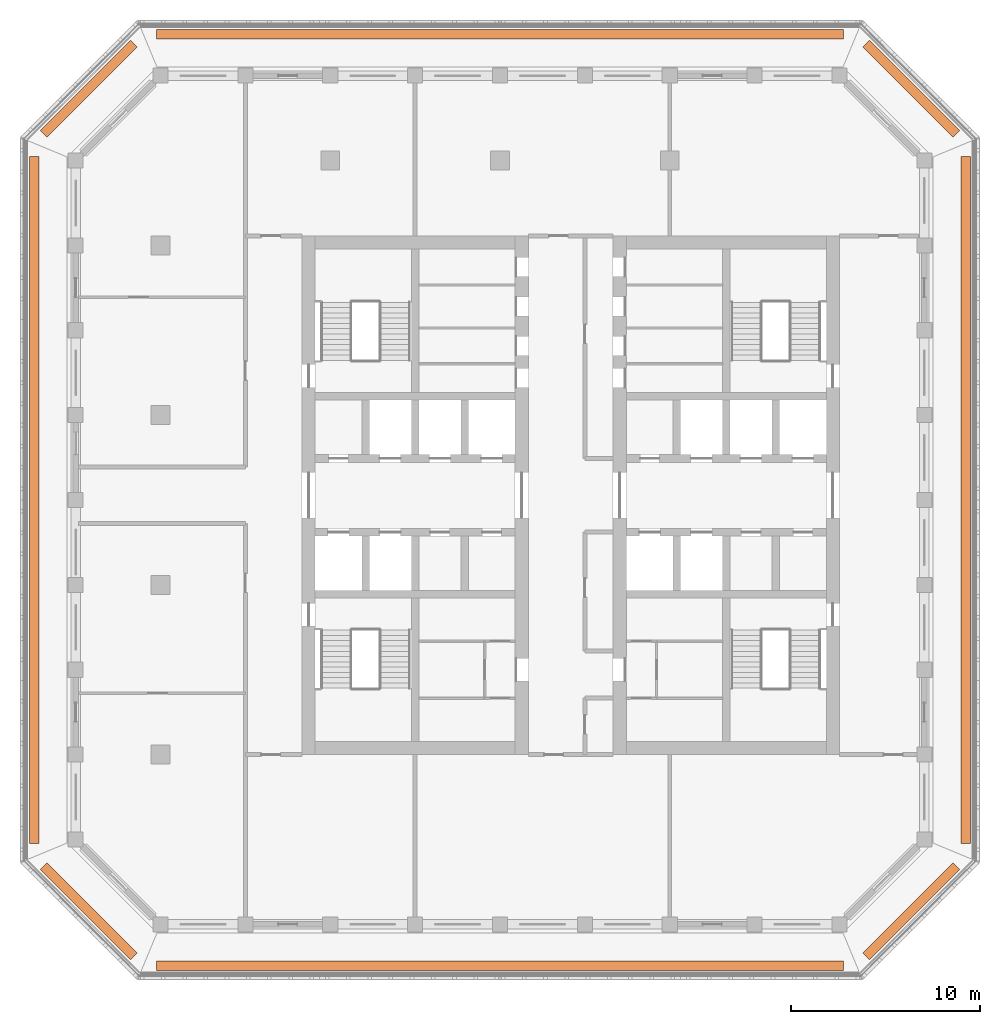
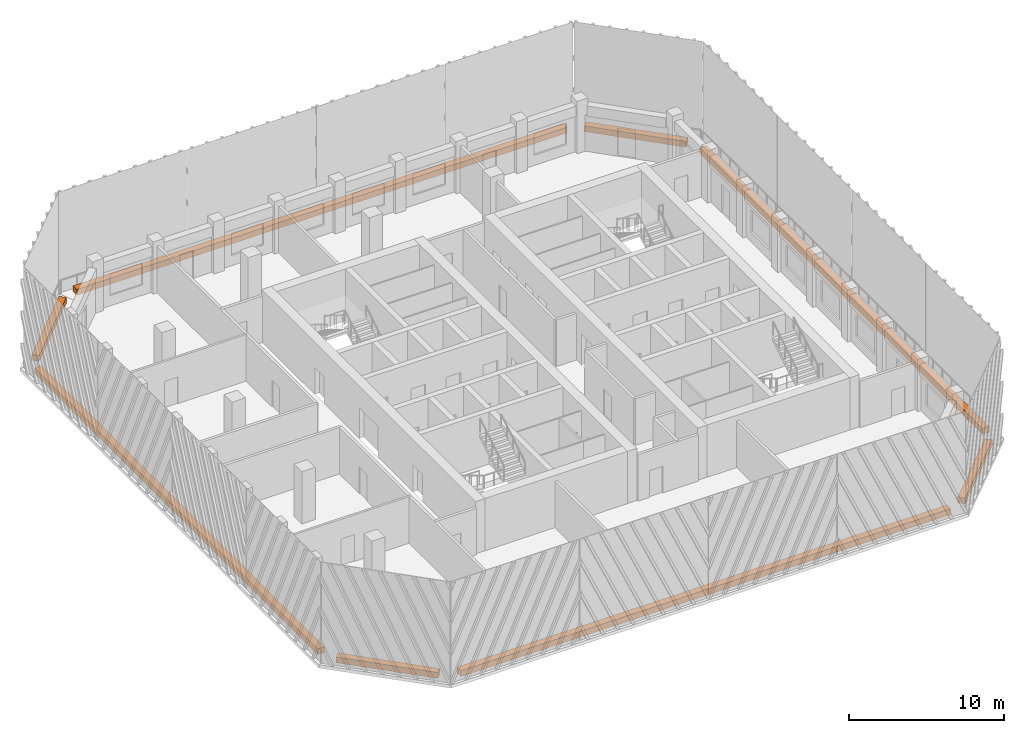
# One storey, part 15 of 15: 8 proxies.
"""IFC4 building model written with IfcOpenShell, lengths in metres."""

from ifc_helpers import new_model, si_unit, direction, frame, origin, origin_2d, place, context, subcontext, project, spatial, rectangle, extrude, material, type_object, element, save


model = new_model("IFC4")

# Units and contexts
model_context = context("Model", 3, precision=1e-05, world=origin(), true_north=direction((0.0, 1.0)))
body_context = subcontext(model_context, "Body", "Model", "MODEL_VIEW")
ifc_project = project(units=[si_unit("LENGTHUNIT", "METRE"), si_unit("AREAUNIT", "SQUARE_METRE"), si_unit("VOLUMEUNIT", "CUBIC_METRE"), si_unit("PLANEANGLEUNIT", "RADIAN"), si_unit("MASSUNIT", "GRAM", prefix="KILO")], contexts=[model_context])

# Site, building, storey
site_placement = place(None, origin())
site = spatial("IfcSite", under=ifc_project, at=site_placement, CompositionType="ELEMENT")
building_placement = place(site_placement, origin())
building = spatial("IfcBuilding", under=site, at=building_placement, Name="Corbel Stack Research Tower", CompositionType="ELEMENT")
storey_placement = place(building_placement, frame((0.0, 0.0, 274.5)))
storey = spatial("IfcBuildingStorey", under=building, at=storey_placement, Name="L62", CompositionType="ELEMENT", Elevation=274.5)

# Proxies
ifc_material = material(Name="Concrete C45/55", Category="concrete")
building_element_proxy_type = type_object("IfcBuildingElementProxyType", Name="Planter box", PredefinedType="USERDEFINED", material=ifc_material)
proxy_1_placement = place(storey_placement, frame((0.0, -20.199951171875, 0.0), z_axis=(0.0, 0.0, 1.0), x_axis=(1.0, 0.0, 0.0)))
element("IfcBuildingElementProxy", 1, at=proxy_1_placement, inside=storey, type_object=building_element_proxy_type, Name="Planter L62 S", ObjectType="PLANTER", PredefinedType="USERDEFINED", context=body_context, shape_type="SweptSolid", body=[
    extrude(rectangle(XDim=36.41064453125, YDim=0.5, at=origin_2d()), origin(), (0.0, 0.0, 1.0), 0.449951171875),
])
proxy_2_placement = place(storey_placement, frame((21.8056640625, -17.3056640625, 0.0), z_axis=(0.0, 0.0, 1.0), x_axis=(0.707106781187, 0.707106781187, 0.0)))
element("IfcBuildingElementProxy", 2, at=proxy_2_placement, inside=storey, type_object=building_element_proxy_type, Name="Planter L62 SE", ObjectType="PLANTER", PredefinedType="USERDEFINED", context=body_context, shape_type="SweptSolid", body=[
    extrude(rectangle(XDim=6.774658203125, YDim=0.5, at=origin_2d()), origin(), (0.0, 0.0, 1.0), 0.449951171875),
])
proxy_3_placement = place(storey_placement, frame((24.699951171875, 4.5, 0.0), z_axis=(0.0, 0.0, 1.0), x_axis=(0.0, 1.0, 0.0)))
element("IfcBuildingElementProxy", 3, at=proxy_3_placement, inside=storey, type_object=building_element_proxy_type, Name="Planter L62 E", ObjectType="PLANTER", PredefinedType="USERDEFINED", context=body_context, shape_type="SweptSolid", body=[
    extrude(rectangle(XDim=36.41064453125, YDim=0.5, at=origin_2d()), origin(), (0.0, 0.0, 1.0), 0.449951171875),
])
proxy_4_placement = place(storey_placement, frame((21.8056640625, 26.3056640625, 0.0), z_axis=(0.0, 0.0, 1.0), x_axis=(-0.707106781187, 0.707106781187, 0.0)))
element("IfcBuildingElementProxy", 4, at=proxy_4_placement, inside=storey, type_object=building_element_proxy_type, Name="Planter L62 NE", ObjectType="PLANTER", PredefinedType="USERDEFINED", context=body_context, shape_type="SweptSolid", body=[
    extrude(rectangle(XDim=6.774658203125, YDim=0.5, at=origin_2d()), origin(), (0.0, 0.0, 1.0), 0.449951171875),
])
proxy_5_placement = place(storey_placement, frame((0.0, 29.199951171875, 0.0), z_axis=(0.0, 0.0, 1.0), x_axis=(-1.0, 0.0, 0.0)))
element("IfcBuildingElementProxy", 5, at=proxy_5_placement, inside=storey, type_object=building_element_proxy_type, Name="Planter L62 N", ObjectType="PLANTER", PredefinedType="USERDEFINED", context=body_context, shape_type="SweptSolid", body=[
    extrude(rectangle(XDim=36.41064453125, YDim=0.5, at=origin_2d()), origin(), (0.0, 0.0, 1.0), 0.449951171875),
])
proxy_6_placement = place(storey_placement, frame((-21.8056640625, 26.3056640625, 0.0), z_axis=(0.0, 0.0, 1.0), x_axis=(-0.707106781187, -0.707106781187, 0.0)))
element("IfcBuildingElementProxy", 6, at=proxy_6_placement, inside=storey, type_object=building_element_proxy_type, Name="Planter L62 NW", ObjectType="PLANTER", PredefinedType="USERDEFINED", context=body_context, shape_type="SweptSolid", body=[
    extrude(rectangle(XDim=6.774658203125, YDim=0.5, at=origin_2d()), origin(), (0.0, 0.0, 1.0), 0.449951171875),
])
proxy_7_placement = place(storey_placement, frame((-24.699951171875, 4.5, 0.0), z_axis=(0.0, 0.0, 1.0), x_axis=(0.0, -1.0, 0.0)))
element("IfcBuildingElementProxy", 7, at=proxy_7_placement, inside=storey, type_object=building_element_proxy_type, Name="Planter L62 W", ObjectType="PLANTER", PredefinedType="USERDEFINED", context=body_context, shape_type="SweptSolid", body=[
    extrude(rectangle(XDim=36.41064453125, YDim=0.5, at=origin_2d()), origin(), (0.0, 0.0, 1.0), 0.449951171875),
])
proxy_8_placement = place(storey_placement, frame((-21.8056640625, -17.3056640625, 0.0), z_axis=(0.0, 0.0, 1.0), x_axis=(0.707106781187, -0.707106781187, 0.0)))
element("IfcBuildingElementProxy", 8, at=proxy_8_placement, inside=storey, type_object=building_element_proxy_type, Name="Planter L62 SW", ObjectType="PLANTER", PredefinedType="USERDEFINED", context=body_context, shape_type="SweptSolid", body=[
    extrude(rectangle(XDim=6.774658203125, YDim=0.5, at=origin_2d()), origin(), (0.0, 0.0, 1.0), 0.449951171875),
])

save(model, "model.ifc")
